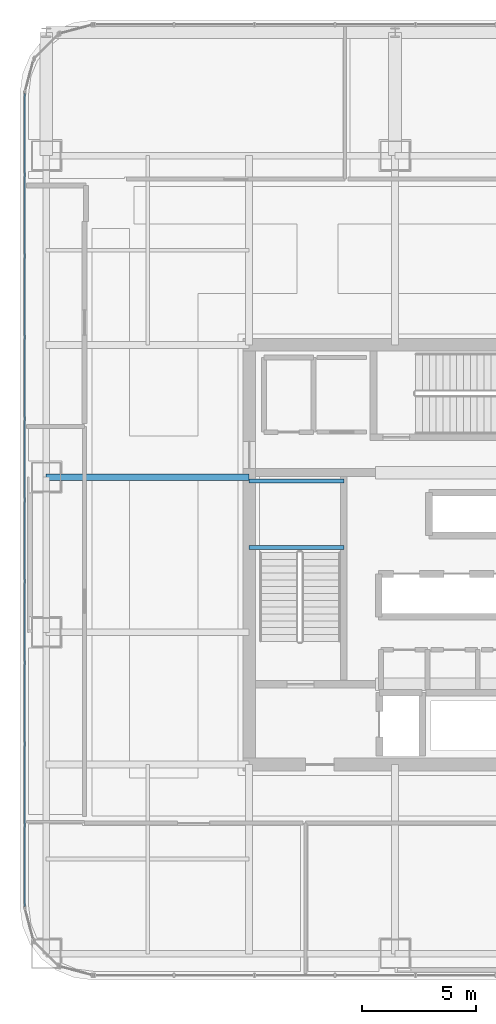
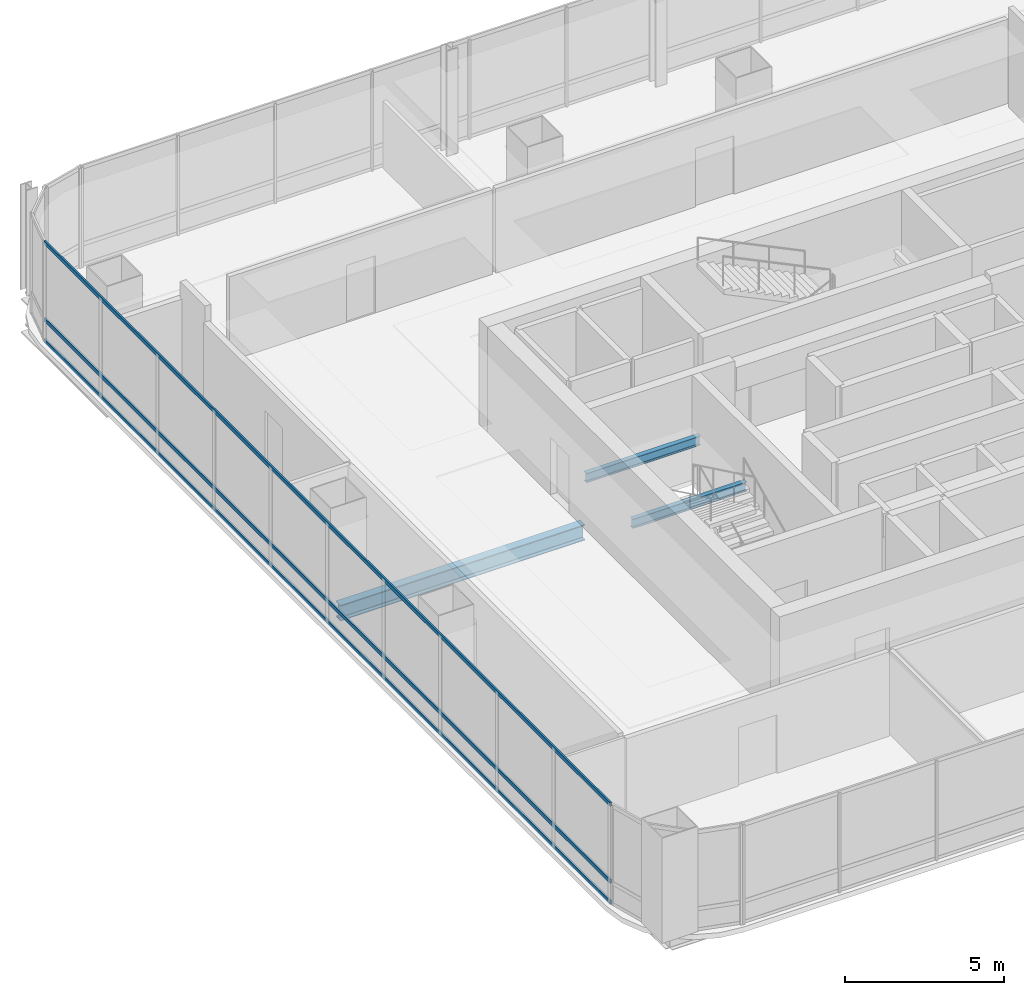
# One storey, part 11 of 42: 3 beams, 3 members, 1 element without a shape of its own.
"""IFC4 building model written with IfcOpenShell, lengths in metres."""

from ifc_helpers import new_model, si_unit, direction, frame, origin, origin_2d, place, context, subcontext, project, spatial, hollow_rectangle, i_section, extrude, material, material_profile, profile_set, type_object, element, aggregate, save


model = new_model("IFC4")

# Units and contexts
model_context = context("Model", 3, precision=1e-05, world=origin(), true_north=direction((0.0, 1.0)))
body_context = subcontext(model_context, "Body", "Model", "MODEL_VIEW")
ifc_project = project(units=[si_unit("LENGTHUNIT", "METRE"), si_unit("AREAUNIT", "SQUARE_METRE"), si_unit("VOLUMEUNIT", "CUBIC_METRE"), si_unit("PLANEANGLEUNIT", "RADIAN"), si_unit("MASSUNIT", "GRAM", prefix="KILO")], contexts=[model_context])

# Site, building, storey
site_placement = place(None, origin())
site = spatial("IfcSite", under=ifc_project, at=site_placement, CompositionType="ELEMENT")
building_placement = place(site_placement, origin())
building = spatial("IfcBuilding", under=site, at=building_placement, Name="Punatoya Terracotta Tower", CompositionType="ELEMENT")
storey_placement = place(building_placement, frame((0.0, 0.0, 263.550048828125)))
storey = spatial("IfcBuildingStorey", under=building, at=storey_placement, Name="L62", CompositionType="ELEMENT", Elevation=263.550048828125)

# Beams
ifc_material_1 = material(Name="Steel S355", Category="steel")
ifc_material_profile_1 = material_profile(ifc_material_1, i_section(OverallWidth=0.300048828125, OverallDepth=0.60009765625, WebThickness=0.015380859375, FlangeThickness=0.030029296875, FilletRadius=0.01806640625, at=origin_2d()))
ifc_profile_set_1 = profile_set([ifc_material_profile_1], Name="Steel S355")
beam_type_1 = type_object("IfcBeamType", Name="BM-PRI-600", PredefinedType="BEAM", material=ifc_profile_set_1)
beam_placement = place(storey_placement, frame((-19.10009765625, 3.39990234375, -0.5), z_axis=(1.0, 0.0, 0.0), x_axis=(0.0, 1.0, 0.0)))
element("IfcBeam", 1, at=beam_placement, inside=storey, type_object=beam_type_1, Name="BM-L62-PR-WE", PredefinedType="BEAM", context=body_context, shape_type="SweptSolid", body=[
    extrude(i_section(OverallWidth=0.300048828125, OverallDepth=0.60009765625, WebThickness=0.015380859375, FlangeThickness=0.030029296875, FilletRadius=0.01806640625, at=origin_2d()), origin(), (0.0, 0.0, 1.0), 8.900146484375),
])
ifc_material_profile_2 = material_profile(ifc_material_1, i_section(OverallWidth=0.169921875, OverallDepth=0.360107421875, WebThickness=0.008056640625, FlangeThickness=0.0126953125, FilletRadius=0.01806640625, at=origin_2d()))
ifc_profile_set_2 = profile_set([ifc_material_profile_2], Name="Steel S355")
beam_type_2 = type_object("IfcBeamType", Name="BM-SEC-360", PredefinedType="JOIST", material=ifc_profile_set_2)
for number, where, z_axis, x_axis, name in (
    (2, (-10.199951171875, 0.320068359375, 1.64501953125), (1.0, 0.0, 0.0), (0.0, 1.0, 0.0), "BM-L62-ST-1-LD1A"),
    (3, (-10.199951171875, 3.22998046875, 1.64501953125), (1.0, 0.0, 0.0), (0.0, 1.0, 0.0), "BM-L62-ST-1-LD1B"),
):
    element("IfcBeam", number, at=place(storey_placement, frame(where, z_axis=z_axis, x_axis=x_axis)), inside=storey, type_object=beam_type_2, Name=name, PredefinedType="JOIST", context=body_context, shape_type="SweptSolid", body=[
        extrude(i_section(OverallWidth=0.169921875, OverallDepth=0.360107421875, WebThickness=0.008056640625, FlangeThickness=0.0126953125, FilletRadius=0.01806640625, at=origin_2d()), origin(), (0.0, 0.0, 1.0), 4.14990234375),
    ])

# Curtain wall, members
ifc_material_2 = material(Name="Aluminium 6063-T6 + Double Low-E Glass", Category="aluminium")
curtain_wall_type = type_object("IfcCurtainWallType", Name="CW-M3", PredefinedType="NOTDEFINED", material=ifc_material_2)
curtain_wall_placement = place(storey_placement, origin())
curtain_wall = element("IfcCurtainWall", 4, at=curtain_wall_placement, inside=storey, type_object=curtain_wall_type, Name="L62 Curtain Wall CW-L62-W13-1", PredefinedType="NOTDEFINED")
ifc_material_3 = material(Name="Aluminium 6063-T6", Category="aluminium")
ifc_material_profile_3 = material_profile(ifc_material_3, hollow_rectangle(XDim=0.068115234375, YDim=0.14990234375, WallThickness=0.00390625, at=origin_2d()))
ifc_profile_set_3 = profile_set([ifc_material_profile_3], Name="Aluminium 6063-T6")
member_type = type_object("IfcMemberType", Name="CW-TRN-TYP", PredefinedType="USERDEFINED", material=ifc_profile_set_3)
member_1_placement = place(storey_placement, frame((-20.050048828125, 20.23681640625, 0.0400390625), z_axis=(0.0, -1.0, 0.0), x_axis=(1.0, 0.0, 0.0)))
member_1 = element("IfcMember", 5, at=member_1_placement, type_object=member_type, Name="CW-L62-W13-1 Transom 1", ObjectType="TRANSOM", PredefinedType="USERDEFINED", context=body_context, shape_type="SweptSolid", body=[
    extrude(hollow_rectangle(XDim=0.068115234375, YDim=0.14990234375, WallThickness=0.00390625, at=origin_2d()), origin(), (0.0, 0.0, 1.0), 35.673828125),
])
member_2_placement = place(storey_placement, frame((-20.050048828125, 20.23681640625, 0.849853515625), z_axis=(0.0, -1.0, 0.0), x_axis=(1.0, 0.0, 0.0)))
member_2 = element("IfcMember", 6, at=member_2_placement, type_object=member_type, Name="CW-L62-W13-1 Transom 2", ObjectType="TRANSOM", PredefinedType="USERDEFINED", context=body_context, shape_type="SweptSolid", body=[
    extrude(hollow_rectangle(XDim=0.068115234375, YDim=0.14990234375, WallThickness=0.00390625, at=origin_2d()), origin(), (0.0, 0.0, 1.0), 35.673828125),
])
member_3_placement = place(storey_placement, frame((-20.050048828125, 20.23681640625, 3.81005859375), z_axis=(0.0, -1.0, 0.0), x_axis=(1.0, 0.0, 0.0)))
member_3 = element("IfcMember", 7, at=member_3_placement, type_object=member_type, Name="CW-L62-W13-1 Transom 3", ObjectType="TRANSOM", PredefinedType="USERDEFINED", context=body_context, shape_type="SweptSolid", body=[
    extrude(hollow_rectangle(XDim=0.068115234375, YDim=0.14990234375, WallThickness=0.00390625, at=origin_2d()), origin(), (0.0, 0.0, 1.0), 35.673828125),
])
aggregate(curtain_wall, [member_1, member_2, member_3])

save(model, "model.ifc")
